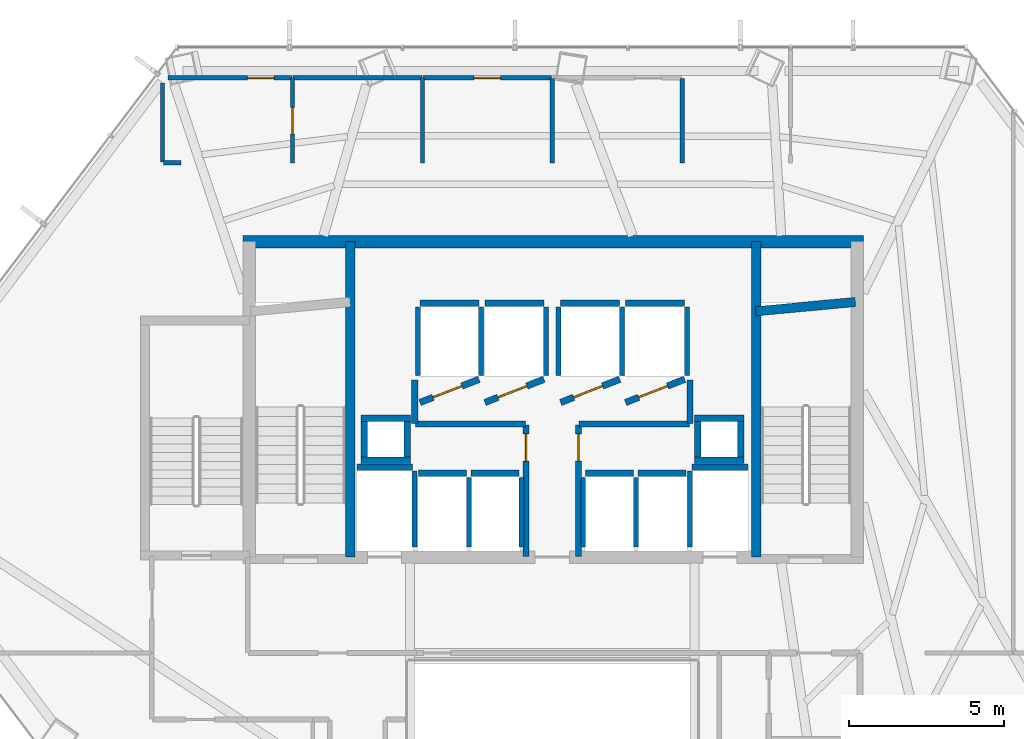
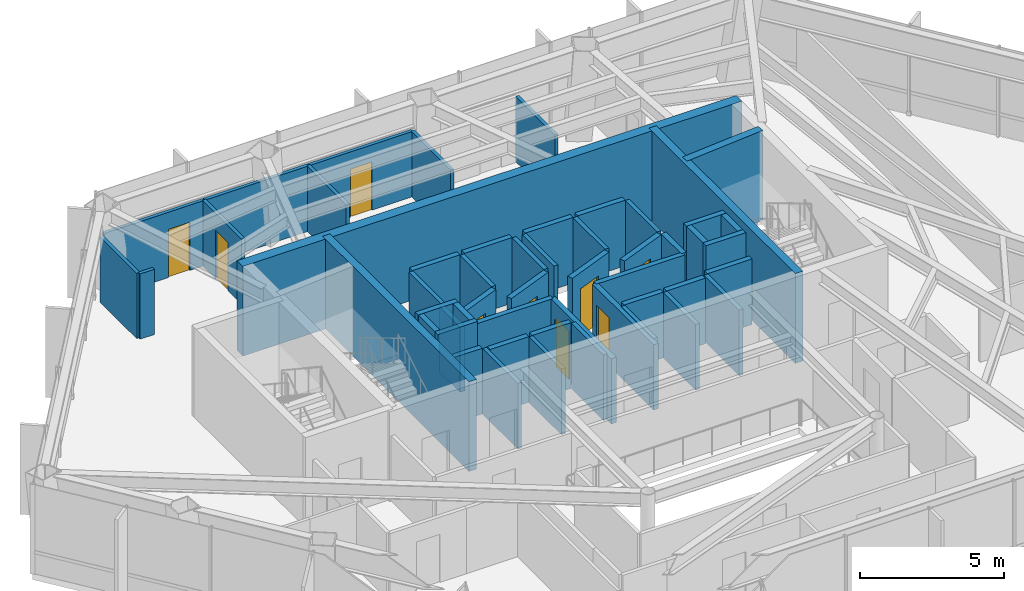
# One storey, part 25 of 27: 53 walls, 9 doors, 9 openings.
"""IFC4 building model written with IfcOpenShell, lengths in metres."""

from ifc_helpers import new_model, si_unit, direction, frame, frame_2d, origin, place, context, subcontext, project, spatial, rectangle, extrude, material, layer, layer_set, type_object, element, fill, save


model = new_model("IFC4")

# Units and contexts
model_context = context("Model", 3, precision=1e-05, world=origin(), true_north=direction((0.0, 1.0)))
body_context = subcontext(model_context, "Body", "Model", "MODEL_VIEW")
ifc_project = project(units=[si_unit("LENGTHUNIT", "METRE"), si_unit("AREAUNIT", "SQUARE_METRE"), si_unit("VOLUMEUNIT", "CUBIC_METRE"), si_unit("PLANEANGLEUNIT", "RADIAN"), si_unit("MASSUNIT", "GRAM", prefix="KILO")], contexts=[model_context])

# Site, building, storey
site_placement = place(None, origin())
site = spatial("IfcSite", under=ifc_project, at=site_placement, CompositionType="ELEMENT")
building_placement = place(site_placement, origin())
building = spatial("IfcBuilding", under=site, at=building_placement, Name="Zarrinselat Tower", CompositionType="ELEMENT")
storey_placement = place(building_placement, frame((0.0, 0.0, 80.580078125)))
storey = spatial("IfcBuildingStorey", under=building, at=storey_placement, Name="L19", CompositionType="ELEMENT", Elevation=80.580078125)

# Wall, opening, door
ifc_material_1 = material(Name="Concrete C40/50", Category="concrete")
ifc_layer_1 = layer(ifc_material_1, 0.199951171875)
ifc_layer_set_1 = layer_set([ifc_layer_1], Name="Concrete C40/50")
wall_type_1 = type_object("IfcWallType", Name="WAL-PART-PLANT", PredefinedType="PARTITIONING", material=ifc_layer_set_1)
wall_1_placement = place(storey_placement, frame((37.550048828125, 33.264892578125, 0.0), z_axis=(0.0, 0.0, 1.0), x_axis=(0.0, 1.0, 0.0)))
wall_1 = element("IfcWall", 1, at=wall_1_placement, inside=storey, type_object=wall_type_1, Name="L19 Partition Wall 1", PredefinedType="PARTITIONING", context=body_context, shape_type="SweptSolid", body=[
    extrude(rectangle(XDim=4.26513671875, YDim=0.199951171875, at=frame_2d((2.132568359375, 0.0))), origin(), (0.0, 0.0, 1.0), 2.77685546875),
])
opening_1_placement = place(wall_1_placement, frame((3.092529296875, 0.0, 0.0)))
opening_1 = element("IfcOpeningElement", 2, at=opening_1_placement, cuts=wall_1, Name="Opening ID-03", PredefinedType="OPENING", context=body_context, shape_type="SweptSolid", body=[
    extrude(rectangle(XDim=0.8798828125, YDim=2.050048828125, at=frame_2d((0.43994140625, 1.02490234375))), frame((0.0, 0.10986328125, 0.0), z_axis=(0.0, -1.0, 0.0), x_axis=(1.0, 0.0, 0.0)), (0.0, 0.0, 1.0), 0.219970703125),
])
ifc_material_2 = material(Name="Steel S355J2", Category="steel")
door_type_1 = type_object("IfcDoorType", Name="DR-INT-FD60-S", OperationType="NOTDEFINED", PredefinedType="DOOR", material=ifc_material_2)
door_1_placement = place(opening_1_placement, origin())
door_1 = element("IfcDoor", 3, at=door_1_placement, inside=storey, type_object=door_type_1, Name="L19 Interior Door P1", OperationType="SINGLE_SWING_LEFT", OverallHeight=2.050048828125, OverallWidth=0.8798828125, PredefinedType="DOOR", context=body_context, shape_type="SweptSolid", body=[
    extrude(rectangle(XDim=0.8798828125, YDim=2.050048828125, at=frame_2d((0.43994140625, 1.02490234375))), frame((0.0, 0.02490234375, 0.0), z_axis=(0.0, -1.0, 0.0), x_axis=(1.0, 0.0, 0.0)), (0.0, 0.0, 1.0), 0.050048828125),
])
fill(opening_1, door_1)

# Walls
wall_2_placement = place(storey_placement, frame((33.969970703125, 37.550048828125, 0.0), z_axis=(0.0, 0.0, 1.0), x_axis=(1.0, 0.0, 0.0)))
element("IfcWall", 4, at=wall_2_placement, inside=storey, type_object=wall_type_1, Name="L19 Partition Wall 2", PredefinedType="PARTITIONING", context=body_context, shape_type="SweptSolid", body=[
    extrude(rectangle(XDim=3.56005859375, YDim=0.199951171875, at=frame_2d((1.780029296875, 0.0))), origin(), (0.0, 0.0, 1.0), 2.77685546875),
])
for number, where, z_axis, x_axis, name in (
    (5, (33.949951171875, 37.570068359375, 0.0), (0.0, 0.0, 1.0), (0.0, 1.0, 0.0), "L19 Partition Wall 3"),
    (6, (42.85009765625, 37.570068359375, 0.0), (0.0, 0.0, 1.0), (0.0, 1.0, 0.0), "L19 Partition Wall 4"),
):
    element("IfcWall", number, at=place(storey_placement, frame(where, z_axis=z_axis, x_axis=x_axis)), inside=storey, type_object=wall_type_1, Name=name, PredefinedType="PARTITIONING", context=body_context, shape_type="SweptSolid", body=[
        extrude(rectangle(XDim=1.4150390625, YDim=0.199951171875, at=frame_2d((0.70751953125, 0.0))), origin(), (0.0, 0.0, 1.0), 2.77685546875),
    ])
wall_3_placement = place(storey_placement, frame((39.27001953125, 37.550048828125, 0.0), z_axis=(0.0, 0.0, 1.0), x_axis=(1.0, 0.0, 0.0)))
element("IfcWall", 7, at=wall_3_placement, inside=storey, type_object=wall_type_1, Name="L19 Partition Wall 5", PredefinedType="PARTITIONING", context=body_context, shape_type="SweptSolid", body=[
    extrude(rectangle(XDim=3.56005859375, YDim=0.199951171875, at=frame_2d((1.780029296875, 0.0))), origin(), (0.0, 0.0, 1.0), 2.77685546875),
])

# Wall, opening, door
wall_4_placement = place(storey_placement, frame((39.25, 33.264892578125, 0.0), z_axis=(0.0, 0.0, 1.0), x_axis=(0.0, 1.0, 0.0)))
wall_4 = element("IfcWall", 8, at=wall_4_placement, inside=storey, type_object=wall_type_1, Name="L19 Partition Wall 6", PredefinedType="PARTITIONING", context=body_context, shape_type="SweptSolid", body=[
    extrude(rectangle(XDim=4.26513671875, YDim=0.199951171875, at=frame_2d((2.132568359375, 0.0))), origin(), (0.0, 0.0, 1.0), 2.77685546875),
])
opening_2_placement = place(wall_4_placement, frame((3.092529296875, 0.0, 0.0)))
opening_2 = element("IfcOpeningElement", 9, at=opening_2_placement, cuts=wall_4, Name="Opening ID-03", PredefinedType="OPENING", context=body_context, shape_type="SweptSolid", body=[
    extrude(rectangle(XDim=0.8798828125, YDim=2.050048828125, at=frame_2d((0.43994140625, 1.02490234375))), frame((0.0, 0.10986328125, 0.0), z_axis=(0.0, -1.0, 0.0), x_axis=(1.0, 0.0, 0.0)), (0.0, 0.0, 1.0), 0.219970703125),
])
door_2_placement = place(opening_2_placement, origin())
door_2 = element("IfcDoor", 10, at=door_2_placement, inside=storey, type_object=door_type_1, Name="L19 Interior Door P6", OperationType="SINGLE_SWING_RIGHT", OverallHeight=2.050048828125, OverallWidth=0.8798828125, PredefinedType="DOOR", context=body_context, shape_type="SweptSolid", body=[
    extrude(rectangle(XDim=0.8798828125, YDim=2.050048828125, at=frame_2d((0.43994140625, 1.02490234375))), frame((0.0, 0.02490234375, 0.0), z_axis=(0.0, -1.0, 0.0), x_axis=(1.0, 0.0, 0.0)), (0.0, 0.0, 1.0), 0.050048828125),
])
fill(opening_2, door_2)

ifc_material_3 = material(Name="Fire-Rated Gypsum Board Partition", Category="gypsum")
ifc_layer_2 = layer(ifc_material_3, 0.135009765625)
ifc_layer_set_2 = layer_set([ifc_layer_2], Name="Fire-Rated Gypsum Board Partition")
wall_type_2 = type_object("IfcWallType", Name="WAL-PART-WET", PredefinedType="PARTITIONING", material=ifc_layer_set_2)
wall_5_placement = place(storey_placement, frame((30.0, 46.0, 0.0), z_axis=(0.0, 0.0, 1.0), x_axis=(0.0, 1.0, 0.0)))
wall_5 = element("IfcWall", 11, at=wall_5_placement, inside=storey, type_object=wall_type_2, Name="L19 Partition Wall 32", PredefinedType="PARTITIONING", context=body_context, shape_type="SweptSolid", body=[
    extrude(rectangle(XDim=2.72998046875, YDim=0.135009765625, at=frame_2d((1.364990234375, 0.0))), origin(), (0.0, 0.0, 1.0), 2.77685546875),
])
opening_3_placement = place(wall_5_placement, frame((0.93505859375, 0.0, 0.0)))
opening_3 = element("IfcOpeningElement", 12, at=opening_3_placement, cuts=wall_5, Name="Opening ID-06", PredefinedType="OPENING", context=body_context, shape_type="SweptSolid", body=[
    extrude(rectangle(XDim=0.860107421875, YDim=2.050048828125, at=frame_2d((0.43017578125, 1.02490234375))), frame((0.0, 0.077392578125, 0.0), z_axis=(0.0, -1.0, 0.0), x_axis=(1.0, 0.0, 0.0)), (0.0, 0.0, 1.0), 0.155029296875),
])
ifc_material_4 = material(Name="Extruded Aluminium Alloy EN AW-6063 T6", Category="aluminium")
door_type_2 = type_object("IfcDoorType", Name="DR-INT-WET-900", OperationType="NOTDEFINED", PredefinedType="DOOR", material=ifc_material_4)
door_3_placement = place(opening_3_placement, origin())
door_3 = element("IfcDoor", 13, at=door_3_placement, inside=storey, type_object=door_type_2, Name="L19 Interior Door P32", OperationType="SINGLE_SWING_RIGHT", OverallHeight=2.050048828125, OverallWidth=0.860107421875, PredefinedType="DOOR", context=body_context, shape_type="SweptSolid", body=[
    extrude(rectangle(XDim=0.860107421875, YDim=2.050048828125, at=frame_2d((0.43017578125, 1.02490234375))), frame((0.0, 0.02490234375, 0.0), z_axis=(0.0, -1.0, 0.0), x_axis=(1.0, 0.0, 0.0)), (0.0, 0.0, 1.0), 0.050048828125),
])
fill(opening_3, door_3)

# Wall
wall_6_placement = place(storey_placement, frame((25.800048828125, 46.02001953125, 0.0), z_axis=(0.0, 0.0, 1.0), x_axis=(0.0, 1.0, 0.0)))
element("IfcWall", 14, at=wall_6_placement, inside=storey, type_object=wall_type_2, Name="L19 Partition Wall 33", PredefinedType="PARTITIONING", context=body_context, shape_type="SweptSolid", body=[
    extrude(rectangle(XDim=2.564208984375, YDim=0.135009765625, at=frame_2d((1.2822265625, 0.0))), origin(), (0.0, 0.0, 1.0), 2.77685546875),
])

# Wall, opening, door
wall_7_placement = place(storey_placement, frame((25.9658203125, 48.75, 0.0), z_axis=(0.0, 0.0, 1.0), x_axis=(1.0, 0.0, 0.0)))
wall_7 = element("IfcWall", 15, at=wall_7_placement, inside=storey, type_object=wall_type_2, Name="L19 Partition Wall 34", PredefinedType="PARTITIONING", context=body_context, shape_type="SweptSolid", body=[
    extrude(rectangle(XDim=4.01416015625, YDim=0.135009765625, at=frame_2d((2.007080078125, 0.0))), origin(), (0.0, 0.0, 1.0), 2.77685546875),
])
opening_4_placement = place(wall_7_placement, frame((2.5771484375, 0.0, 0.0)))
opening_4 = element("IfcOpeningElement", 16, at=opening_4_placement, cuts=wall_7, Name="Opening ID-06", PredefinedType="OPENING", context=body_context, shape_type="SweptSolid", body=[
    extrude(rectangle(XDim=0.860107421875, YDim=2.050048828125, at=frame_2d((0.43017578125, 1.02490234375))), frame((0.0, 0.077392578125, 0.0), z_axis=(0.0, -1.0, 0.0), x_axis=(1.0, 0.0, 0.0)), (0.0, 0.0, 1.0), 0.155029296875),
])
door_4_placement = place(opening_4_placement, origin())
door_4 = element("IfcDoor", 17, at=door_4_placement, inside=storey, type_object=door_type_2, Name="L19 Interior Door P34", OperationType="SINGLE_SWING_LEFT", OverallHeight=2.050048828125, OverallWidth=0.860107421875, PredefinedType="DOOR", context=body_context, shape_type="SweptSolid", body=[
    extrude(rectangle(XDim=0.860107421875, YDim=2.050048828125, at=frame_2d((0.43017578125, 1.02490234375))), frame((0.0, 0.02490234375, 0.0), z_axis=(0.0, -1.0, 0.0), x_axis=(1.0, 0.0, 0.0)), (0.0, 0.0, 1.0), 0.050048828125),
])
fill(opening_4, door_4)

# Walls
wall_8_placement = place(storey_placement, frame((25.820068359375, 46.0, 0.0), z_axis=(0.0, 0.0, 1.0), x_axis=(1.0, 0.0, 0.0)))
element("IfcWall", 18, at=wall_8_placement, inside=storey, type_object=wall_type_2, Name="L19 Partition Wall 35", PredefinedType="PARTITIONING", context=body_context, shape_type="SweptSolid", body=[
    extrude(rectangle(XDim=0.570556640625, YDim=0.135009765625, at=frame_2d((0.28515625, 0.0))), origin(), (0.0, 0.0, 1.0), 2.77685546875),
])
wall_9_placement = place(storey_placement, frame((34.199951171875, 46.0, 0.0), z_axis=(0.0, 0.0, 1.0), x_axis=(0.0, 1.0, 0.0)))
element("IfcWall", 19, at=wall_9_placement, inside=storey, type_object=wall_type_2, Name="L19 Partition Wall 36", PredefinedType="PARTITIONING", context=body_context, shape_type="SweptSolid", body=[
    extrude(rectangle(XDim=2.72998046875, YDim=0.135009765625, at=frame_2d((1.364990234375, 0.0))), origin(), (0.0, 0.0, 1.0), 2.77685546875),
])
wall_10_placement = place(storey_placement, frame((30.02001953125, 48.75, 0.0), z_axis=(0.0, 0.0, 1.0), x_axis=(1.0, 0.0, 0.0)))
element("IfcWall", 20, at=wall_10_placement, inside=storey, type_object=wall_type_2, Name="L19 Partition Wall 37", PredefinedType="PARTITIONING", context=body_context, shape_type="SweptSolid", body=[
    extrude(rectangle(XDim=4.159912109375, YDim=0.135009765625, at=frame_2d((2.080078125, 0.0))), origin(), (0.0, 0.0, 1.0), 2.77685546875),
])
wall_11_placement = place(storey_placement, frame((38.39990234375, 46.0, 0.0), z_axis=(0.0, 0.0, 1.0), x_axis=(0.0, 1.0, 0.0)))
element("IfcWall", 21, at=wall_11_placement, inside=storey, type_object=wall_type_2, Name="L19 Partition Wall 38", PredefinedType="PARTITIONING", context=body_context, shape_type="SweptSolid", body=[
    extrude(rectangle(XDim=2.72998046875, YDim=0.135009765625, at=frame_2d((1.364990234375, 0.0))), origin(), (0.0, 0.0, 1.0), 2.77685546875),
])

# Wall, opening, door
wall_12_placement = place(storey_placement, frame((34.219970703125, 48.75, 0.0), z_axis=(0.0, 0.0, 1.0), x_axis=(1.0, 0.0, 0.0)))
wall_12 = element("IfcWall", 22, at=wall_12_placement, inside=storey, type_object=wall_type_2, Name="L19 Partition Wall 39", PredefinedType="PARTITIONING", context=body_context, shape_type="SweptSolid", body=[
    extrude(rectangle(XDim=4.159912109375, YDim=0.135009765625, at=frame_2d((2.080078125, 0.0))), origin(), (0.0, 0.0, 1.0), 2.77685546875),
])
opening_5_placement = place(wall_12_placement, frame((1.64990234375, 0.0, 0.0)))
opening_5 = element("IfcOpeningElement", 23, at=opening_5_placement, cuts=wall_12, Name="Opening ID-06", PredefinedType="OPENING", context=body_context, shape_type="SweptSolid", body=[
    extrude(rectangle(XDim=0.860107421875, YDim=2.050048828125, at=frame_2d((0.43017578125, 1.02490234375))), frame((0.0, 0.077392578125, 0.0), z_axis=(0.0, -1.0, 0.0), x_axis=(1.0, 0.0, 0.0)), (0.0, 0.0, 1.0), 0.155029296875),
])
door_5_placement = place(opening_5_placement, origin())
door_5 = element("IfcDoor", 24, at=door_5_placement, inside=storey, type_object=door_type_2, Name="L19 Interior Door P39", OperationType="SINGLE_SWING_RIGHT", OverallHeight=2.050048828125, OverallWidth=0.860107421875, PredefinedType="DOOR", context=body_context, shape_type="SweptSolid", body=[
    extrude(rectangle(XDim=0.860107421875, YDim=2.050048828125, at=frame_2d((0.43017578125, 1.02490234375))), frame((0.0, 0.02490234375, 0.0), z_axis=(0.0, -1.0, 0.0), x_axis=(1.0, 0.0, 0.0)), (0.0, 0.0, 1.0), 0.050048828125),
])
fill(opening_5, door_5)

# Walls
wall_13_placement = place(storey_placement, frame((42.60009765625, 46.0, 0.0), z_axis=(0.0, 0.0, 1.0), x_axis=(0.0, 1.0, 0.0)))
element("IfcWall", 25, at=wall_13_placement, inside=storey, type_object=wall_type_2, Name="L19 Partition Wall 41", PredefinedType="PARTITIONING", context=body_context, shape_type="SweptSolid", body=[
    extrude(rectangle(XDim=2.72998046875, YDim=0.135009765625, at=frame_2d((1.364990234375, 0.0))), origin(), (0.0, 0.0, 1.0), 2.77685546875),
])
ifc_material_5 = material(Name="Concrete C40/50", Category="concrete")
ifc_layer_3 = layer(ifc_material_5, 0.2099609375)
ifc_layer_set_3 = layer_set([ifc_layer_3], Name="Concrete C40/50")
wall_type_3 = type_object("IfcWallType", Name="WAL-SHAFT-210", PredefinedType="SOLIDWALL", material=ifc_layer_set_3)
wall_14_placement = place(storey_placement, frame((32.080078125, 36.155029296875, 0.0), z_axis=(0.0, 0.0, 1.0), x_axis=(1.0, 0.0, 0.0)))
element("IfcWall", 26, at=wall_14_placement, inside=storey, type_object=wall_type_3, Name="L19 Lift FFL1 North Shaft Wall", PredefinedType="SOLIDWALL", context=body_context, shape_type="SweptSolid", body=[
    extrude(rectangle(XDim=1.7998046875, YDim=0.2099609375, at=frame_2d((0.89990234375, 0.0))), origin(), (0.0, 0.0, 1.0), 2.7919921875),
])
wall_15_placement = place(storey_placement, frame((33.949951171875, 33.580078125, 0.0), z_axis=(0.0, 0.0, 1.0), x_axis=(0.0, 1.0, 0.0)))
element("IfcWall", 27, at=wall_15_placement, inside=storey, type_object=wall_type_3, Name="L19 Lift FFL1 E Shaft Wall", PredefinedType="SOLIDWALL", context=body_context, shape_type="SweptSolid", body=[
    extrude(rectangle(XDim=2.449951171875, YDim=0.159912109375, at=frame_2d((1.22509765625, 0.0))), origin(), (0.0, 0.0, 1.0), 2.7919921875),
])
wall_16_placement = place(storey_placement, frame((42.919921875, 36.155029296875, 0.0), z_axis=(0.0, 0.0, 1.0), x_axis=(1.0, 0.0, 0.0)))
element("IfcWall", 28, at=wall_16_placement, inside=storey, type_object=wall_type_3, Name="L19 Lift FFL2 North Shaft Wall", PredefinedType="SOLIDWALL", context=body_context, shape_type="SweptSolid", body=[
    extrude(rectangle(XDim=1.800048828125, YDim=0.2099609375, at=frame_2d((0.89990234375, 0.0))), origin(), (0.0, 0.0, 1.0), 2.7919921875),
])
wall_17_placement = place(storey_placement, frame((42.85009765625, 33.580078125, 0.0), z_axis=(0.0, 0.0, 1.0), x_axis=(0.0, 1.0, 0.0)))
element("IfcWall", 29, at=wall_17_placement, inside=storey, type_object=wall_type_3, Name="L19 Lift FFL2 W Shaft Wall", PredefinedType="SOLIDWALL", context=body_context, shape_type="SweptSolid", body=[
    extrude(rectangle(XDim=2.449951171875, YDim=0.159912109375, at=frame_2d((1.22509765625, 0.0))), origin(), (0.0, 0.0, 1.0), 2.7919921875),
])

# Wall, opening, door
wall_18_placement = place(storey_placement, frame((34.1201171875, 38.25, 0.0), z_axis=(0.0, 0.0, 1.0), x_axis=(0.930804993012, 0.36551616241, 0.0)))
wall_18 = element("IfcWall", 30, at=wall_18_placement, inside=storey, type_object=wall_type_3, Name="L19 Lift PL1 Front Shaft Wall", PredefinedType="SOLIDWALL", context=body_context, shape_type="SweptSolid", body=[
    extrude(rectangle(XDim=2.052001953125, YDim=0.2099609375, at=frame_2d((1.02587890625, 0.0))), origin(), (0.0, 0.0, 1.0), 2.7919921875),
])
opening_6_placement = place(wall_18_placement, frame((0.455078125, 0.0, 0.0)))
opening_6 = element("IfcOpeningElement", 31, at=opening_6_placement, cuts=wall_18, Name="Opening LD-PL1", PredefinedType="OPENING", context=body_context, shape_type="SweptSolid", body=[
    extrude(rectangle(XDim=1.0, YDim=2.10009765625, at=frame_2d((0.5, 1.050048828125))), frame((0.0, 0.114990234375, 0.0), z_axis=(0.0, -1.0, 0.0), x_axis=(1.0, 0.0, 0.0)), (0.0, 0.0, 1.0), 0.22998046875),
])
ifc_material_6 = material(Name="Steel S355J2", Category="steel")
door_type_3 = type_object("IfcDoorType", Name="DR-LIFT-PS-1000", OperationType="NOTDEFINED", PredefinedType="DOOR", material=ifc_material_6)
door_6_placement = place(opening_6_placement, origin())
door_6 = element("IfcDoor", 32, at=door_6_placement, inside=storey, type_object=door_type_3, Name="L19 Lift PL1 Sliding Landing Door", OperationType="SLIDING_TO_LEFT", OverallHeight=2.10009765625, OverallWidth=1.0, PredefinedType="DOOR", context=body_context, shape_type="SweptSolid", body=[
    extrude(rectangle(XDim=1.0, YDim=2.10009765625, at=frame_2d((0.5, 1.050048828125))), frame((0.0, 0.02490234375, 0.0), z_axis=(0.0, -1.0, 0.0), x_axis=(1.0, 0.0, 0.0)), (0.0, 0.0, 1.0), 0.050048828125),
])
fill(opening_6, door_6)

# Walls
wall_19_placement = place(storey_placement, frame((34.1201171875, 41.455078125, 0.0), z_axis=(0.0, 0.0, 1.0), x_axis=(1.0, 0.0, 0.0)))
element("IfcWall", 33, at=wall_19_placement, inside=storey, type_object=wall_type_3, Name="L19 Lift PL1 Rear Shaft Wall", PredefinedType="SOLIDWALL", context=body_context, shape_type="SweptSolid", body=[
    extrude(rectangle(XDim=1.909912109375, YDim=0.2099609375, at=frame_2d((0.955078125, 0.0))), origin(), (0.0, 0.0, 1.0), 2.7919921875),
])
for number, where, z_axis, x_axis, name in (
    (34, (34.050048828125, 39.1201171875, 0.0), (0.0, 0.0, 1.0), (0.0, 1.0, 0.0), "L19 Lift PL1 W Shaft Wall"),
    (35, (36.10009765625, 39.1201171875, 0.0), (0.0, 0.0, 1.0), (0.0, 1.0, 0.0), "L19 Lift PL1 E Shaft Wall"),
):
    element("IfcWall", number, at=place(storey_placement, frame(where, z_axis=z_axis, x_axis=x_axis)), inside=storey, type_object=wall_type_3, Name=name, PredefinedType="SOLIDWALL", context=body_context, shape_type="SweptSolid", body=[
        extrude(rectangle(XDim=2.2099609375, YDim=0.159912109375, at=frame_2d((1.10498046875, 0.0))), origin(), (0.0, 0.0, 1.0), 2.7919921875),
    ])

# Wall, opening, door
wall_20_placement = place(storey_placement, frame((36.219970703125, 38.25, 0.0), z_axis=(0.0, 0.0, 1.0), x_axis=(0.930804993012, 0.36551616241, 0.0)))
wall_20 = element("IfcWall", 36, at=wall_20_placement, inside=storey, type_object=wall_type_3, Name="L19 Lift PL2 Front Shaft Wall", PredefinedType="SOLIDWALL", context=body_context, shape_type="SweptSolid", body=[
    extrude(rectangle(XDim=2.052001953125, YDim=0.2099609375, at=frame_2d((1.02587890625, 0.0))), origin(), (0.0, 0.0, 1.0), 2.7919921875),
])
opening_7_placement = place(wall_20_placement, frame((0.455078125, 0.0, 0.0)))
opening_7 = element("IfcOpeningElement", 37, at=opening_7_placement, cuts=wall_20, Name="Opening LD-PL2", PredefinedType="OPENING", context=body_context, shape_type="SweptSolid", body=[
    extrude(rectangle(XDim=1.0, YDim=2.10009765625, at=frame_2d((0.5, 1.050048828125))), frame((0.0, 0.114990234375, 0.0), z_axis=(0.0, -1.0, 0.0), x_axis=(1.0, 0.0, 0.0)), (0.0, 0.0, 1.0), 0.22998046875),
])
door_7_placement = place(opening_7_placement, origin())
door_7 = element("IfcDoor", 38, at=door_7_placement, inside=storey, type_object=door_type_3, Name="L19 Lift PL2 Sliding Landing Door", OperationType="SLIDING_TO_RIGHT", OverallHeight=2.10009765625, OverallWidth=1.0, PredefinedType="DOOR", context=body_context, shape_type="SweptSolid", body=[
    extrude(rectangle(XDim=1.0, YDim=2.10009765625, at=frame_2d((0.5, 1.050048828125))), frame((0.0, 0.02490234375, 0.0), z_axis=(0.0, -1.0, 0.0), x_axis=(1.0, 0.0, 0.0)), (0.0, 0.0, 1.0), 0.050048828125),
])
fill(opening_7, door_7)

# Walls
wall_21_placement = place(storey_placement, frame((36.219970703125, 41.455078125, 0.0), z_axis=(0.0, 0.0, 1.0), x_axis=(1.0, 0.0, 0.0)))
element("IfcWall", 39, at=wall_21_placement, inside=storey, type_object=wall_type_3, Name="L19 Lift PL2 Rear Shaft Wall", PredefinedType="SOLIDWALL", context=body_context, shape_type="SweptSolid", body=[
    extrude(rectangle(XDim=1.909912109375, YDim=0.2099609375, at=frame_2d((0.955078125, 0.0))), origin(), (0.0, 0.0, 1.0), 2.7919921875),
])
wall_22_placement = place(storey_placement, frame((38.199951171875, 39.1201171875, 0.0), z_axis=(0.0, 0.0, 1.0), x_axis=(0.0, 1.0, 0.0)))
element("IfcWall", 40, at=wall_22_placement, inside=storey, type_object=wall_type_3, Name="L19 Lift PL2 E Shaft Wall", PredefinedType="SOLIDWALL", context=body_context, shape_type="SweptSolid", body=[
    extrude(rectangle(XDim=2.2099609375, YDim=0.159912109375, at=frame_2d((1.10498046875, 0.0))), origin(), (0.0, 0.0, 1.0), 2.7919921875),
])

# Wall, opening, door
wall_23_placement = place(storey_placement, frame((38.669921875, 38.25, 0.0), z_axis=(0.0, 0.0, 1.0), x_axis=(0.930820886763, 0.3654756856, 0.0)))
wall_23 = element("IfcWall", 41, at=wall_23_placement, inside=storey, type_object=wall_type_3, Name="L19 Lift PL3 Front Shaft Wall", PredefinedType="SOLIDWALL", context=body_context, shape_type="SweptSolid", body=[
    extrude(rectangle(XDim=2.052001953125, YDim=0.2099609375, at=frame_2d((1.02587890625, 0.0))), origin(), (0.0, 0.0, 1.0), 2.7919921875),
])
opening_8_placement = place(wall_23_placement, frame((0.455078125, 0.0, 0.0)))
opening_8 = element("IfcOpeningElement", 42, at=opening_8_placement, cuts=wall_23, Name="Opening LD-PL3", PredefinedType="OPENING", context=body_context, shape_type="SweptSolid", body=[
    extrude(rectangle(XDim=1.0, YDim=2.10009765625, at=frame_2d((0.5, 1.050048828125))), frame((0.0, 0.114990234375, 0.0), z_axis=(0.0, -1.0, 0.0), x_axis=(1.0, 0.0, 0.0)), (0.0, 0.0, 1.0), 0.22998046875),
])
door_8_placement = place(opening_8_placement, origin())
door_8 = element("IfcDoor", 43, at=door_8_placement, inside=storey, type_object=door_type_3, Name="L19 Lift PL3 Sliding Landing Door", OperationType="SLIDING_TO_LEFT", OverallHeight=2.10009765625, OverallWidth=1.0, PredefinedType="DOOR", context=body_context, shape_type="SweptSolid", body=[
    extrude(rectangle(XDim=1.0, YDim=2.10009765625, at=frame_2d((0.5, 1.050048828125))), frame((0.0, 0.02490234375, 0.0), z_axis=(0.0, -1.0, 0.0), x_axis=(1.0, 0.0, 0.0)), (0.0, 0.0, 1.0), 0.050048828125),
])
fill(opening_8, door_8)

# Walls
wall_24_placement = place(storey_placement, frame((38.669921875, 41.455078125, 0.0), z_axis=(0.0, 0.0, 1.0), x_axis=(1.0, 0.0, 0.0)))
element("IfcWall", 44, at=wall_24_placement, inside=storey, type_object=wall_type_3, Name="L19 Lift PL3 Rear Shaft Wall", PredefinedType="SOLIDWALL", context=body_context, shape_type="SweptSolid", body=[
    extrude(rectangle(XDim=1.91015625, YDim=0.2099609375, at=frame_2d((0.955078125, 0.0))), origin(), (0.0, 0.0, 1.0), 2.7919921875),
])
for number, where, z_axis, x_axis, name in (
    (45, (38.60009765625, 39.1201171875, 0.0), (0.0, 0.0, 1.0), (0.0, 1.0, 0.0), "L19 Lift PL3 W Shaft Wall"),
    (46, (40.64990234375, 39.1201171875, 0.0), (0.0, 0.0, 1.0), (0.0, 1.0, 0.0), "L19 Lift PL3 E Shaft Wall"),
):
    element("IfcWall", number, at=place(storey_placement, frame(where, z_axis=z_axis, x_axis=x_axis)), inside=storey, type_object=wall_type_3, Name=name, PredefinedType="SOLIDWALL", context=body_context, shape_type="SweptSolid", body=[
        extrude(rectangle(XDim=2.2099609375, YDim=0.159912109375, at=frame_2d((1.10498046875, 0.0))), origin(), (0.0, 0.0, 1.0), 2.7919921875),
    ])

# Wall, opening, door
wall_25_placement = place(storey_placement, frame((40.77001953125, 38.25, 0.0), z_axis=(0.0, 0.0, 1.0), x_axis=(0.930804993012, 0.36551616241, 0.0)))
wall_25 = element("IfcWall", 47, at=wall_25_placement, inside=storey, type_object=wall_type_3, Name="L19 Lift PL4 Front Shaft Wall", PredefinedType="SOLIDWALL", context=body_context, shape_type="SweptSolid", body=[
    extrude(rectangle(XDim=2.052001953125, YDim=0.2099609375, at=frame_2d((1.02587890625, 0.0))), origin(), (0.0, 0.0, 1.0), 2.7919921875),
])
opening_9_placement = place(wall_25_placement, frame((0.455078125, 0.0, 0.0)))
opening_9 = element("IfcOpeningElement", 48, at=opening_9_placement, cuts=wall_25, Name="Opening LD-PL4", PredefinedType="OPENING", context=body_context, shape_type="SweptSolid", body=[
    extrude(rectangle(XDim=1.0, YDim=2.10009765625, at=frame_2d((0.5, 1.050048828125))), frame((0.0, 0.114990234375, 0.0), z_axis=(0.0, -1.0, 0.0), x_axis=(1.0, 0.0, 0.0)), (0.0, 0.0, 1.0), 0.22998046875),
])
door_9_placement = place(opening_9_placement, origin())
door_9 = element("IfcDoor", 49, at=door_9_placement, inside=storey, type_object=door_type_3, Name="L19 Lift PL4 Sliding Landing Door", OperationType="SLIDING_TO_RIGHT", OverallHeight=2.10009765625, OverallWidth=1.0, PredefinedType="DOOR", context=body_context, shape_type="SweptSolid", body=[
    extrude(rectangle(XDim=1.0, YDim=2.10009765625, at=frame_2d((0.5, 1.050048828125))), frame((0.0, 0.02490234375, 0.0), z_axis=(0.0, -1.0, 0.0), x_axis=(1.0, 0.0, 0.0)), (0.0, 0.0, 1.0), 0.050048828125),
])
fill(opening_9, door_9)

# Walls
wall_26_placement = place(storey_placement, frame((40.77001953125, 41.455078125, 0.0), z_axis=(0.0, 0.0, 1.0), x_axis=(1.0, 0.0, 0.0)))
element("IfcWall", 50, at=wall_26_placement, inside=storey, type_object=wall_type_3, Name="L19 Lift PL4 Rear Shaft Wall", PredefinedType="SOLIDWALL", context=body_context, shape_type="SweptSolid", body=[
    extrude(rectangle(XDim=1.909912109375, YDim=0.2099609375, at=frame_2d((0.955078125, 0.0))), origin(), (0.0, 0.0, 1.0), 2.7919921875),
])
wall_27_placement = place(storey_placement, frame((42.75, 39.1201171875, 0.0), z_axis=(0.0, 0.0, 1.0), x_axis=(0.0, 1.0, 0.0)))
element("IfcWall", 51, at=wall_27_placement, inside=storey, type_object=wall_type_3, Name="L19 Lift PL4 E Shaft Wall", PredefinedType="SOLIDWALL", context=body_context, shape_type="SweptSolid", body=[
    extrude(rectangle(XDim=2.2099609375, YDim=0.159912109375, at=frame_2d((1.10498046875, 0.0))), origin(), (0.0, 0.0, 1.0), 2.7919921875),
])
wall_28_placement = place(storey_placement, frame((34.070068359375, 35.955078125, 0.0), z_axis=(0.0, 0.0, 1.0), x_axis=(1.0, 0.0, 0.0)))
element("IfcWall", 52, at=wall_28_placement, inside=storey, type_object=wall_type_3, Name="L19 Lift PL5 North Shaft Wall", PredefinedType="SOLIDWALL", context=body_context, shape_type="SweptSolid", body=[
    extrude(rectangle(XDim=1.559814453125, YDim=0.2099609375, at=frame_2d((0.77978515625, 0.0))), origin(), (0.0, 0.0, 1.0), 2.7919921875),
])
wall_29_placement = place(storey_placement, frame((35.699951171875, 33.580078125, 0.0), z_axis=(0.0, 0.0, 1.0), x_axis=(0.0, 1.0, 0.0)))
element("IfcWall", 53, at=wall_29_placement, inside=storey, type_object=wall_type_3, Name="L19 Lift PL5 E Shaft Wall", PredefinedType="SOLIDWALL", context=body_context, shape_type="SweptSolid", body=[
    extrude(rectangle(XDim=2.25, YDim=0.159912109375, at=frame_2d((1.125, 0.0))), origin(), (0.0, 0.0, 1.0), 2.7919921875),
])
wall_30_placement = place(storey_placement, frame((35.77001953125, 35.955078125, 0.0), z_axis=(0.0, 0.0, 1.0), x_axis=(1.0, 0.0, 0.0)))
element("IfcWall", 54, at=wall_30_placement, inside=storey, type_object=wall_type_3, Name="L19 Lift PL6 North Shaft Wall", PredefinedType="SOLIDWALL", context=body_context, shape_type="SweptSolid", body=[
    extrude(rectangle(XDim=1.56005859375, YDim=0.2099609375, at=frame_2d((0.780029296875, 0.0))), origin(), (0.0, 0.0, 1.0), 2.7919921875),
])
wall_31_placement = place(storey_placement, frame((37.39990234375, 33.580078125, 0.0), z_axis=(0.0, 0.0, 1.0), x_axis=(0.0, 1.0, 0.0)))
element("IfcWall", 55, at=wall_31_placement, inside=storey, type_object=wall_type_3, Name="L19 Lift PL6 E Shaft Wall", PredefinedType="SOLIDWALL", context=body_context, shape_type="SweptSolid", body=[
    extrude(rectangle(XDim=2.25, YDim=0.159912109375, at=frame_2d((1.125, 0.0))), origin(), (0.0, 0.0, 1.0), 2.7919921875),
])
wall_32_placement = place(storey_placement, frame((39.469970703125, 35.955078125, 0.0), z_axis=(0.0, 0.0, 1.0), x_axis=(1.0, 0.0, 0.0)))
element("IfcWall", 56, at=wall_32_placement, inside=storey, type_object=wall_type_3, Name="L19 Lift PL8 North Shaft Wall", PredefinedType="SOLIDWALL", context=body_context, shape_type="SweptSolid", body=[
    extrude(rectangle(XDim=1.56005859375, YDim=0.2099609375, at=frame_2d((0.780029296875, 0.0))), origin(), (0.0, 0.0, 1.0), 2.7919921875),
])
for number, where, z_axis, x_axis, name in (
    (57, (39.39990234375, 33.580078125, 0.0), (0.0, 0.0, 1.0), (0.0, 1.0, 0.0), "L19 Lift PL8 W Shaft Wall"),
    (58, (41.10009765625, 33.580078125, 0.0), (0.0, 0.0, 1.0), (0.0, 1.0, 0.0), "L19 Lift PL8 E Shaft Wall"),
):
    element("IfcWall", number, at=place(storey_placement, frame(where, z_axis=z_axis, x_axis=x_axis)), inside=storey, type_object=wall_type_3, Name=name, PredefinedType="SOLIDWALL", context=body_context, shape_type="SweptSolid", body=[
        extrude(rectangle(XDim=2.25, YDim=0.159912109375, at=frame_2d((1.125, 0.0))), origin(), (0.0, 0.0, 1.0), 2.7919921875),
    ])
wall_33_placement = place(storey_placement, frame((41.169921875, 35.955078125, 0.0), z_axis=(0.0, 0.0, 1.0), x_axis=(1.0, 0.0, 0.0)))
element("IfcWall", 59, at=wall_33_placement, inside=storey, type_object=wall_type_3, Name="L19 Lift PL9 North Shaft Wall", PredefinedType="SOLIDWALL", context=body_context, shape_type="SweptSolid", body=[
    extrude(rectangle(XDim=1.56005859375, YDim=0.2099609375, at=frame_2d((0.780029296875, 0.0))), origin(), (0.0, 0.0, 1.0), 2.7919921875),
])
for number, where, z_axis, x_axis, name in (
    (60, (32.2099609375, 36.375, 0.0), (0.0, 0.0, 1.0), (1.0, 0.0, 0.0), "L19 Core Riser RSR-W S Shaft Wall"),
    (61, (32.2099609375, 37.7451171875, 0.0), (0.0, 0.0, 1.0), (1.0, 0.0, 0.0), "L19 Core Riser RSR-W N Shaft Wall"),
):
    element("IfcWall", number, at=place(storey_placement, frame(where, z_axis=z_axis, x_axis=x_axis)), inside=storey, type_object=wall_type_3, Name=name, PredefinedType="SOLIDWALL", context=body_context, shape_type="SweptSolid", body=[
        extrude(rectangle(XDim=1.60009765625, YDim=0.2099609375, at=frame_2d((0.800048828125, 0.0))), origin(), (0.0, 0.0, 1.0), 3.81982421875),
    ])
for number, where, z_axis, x_axis, name in (
    (62, (32.31494140625, 36.485107421875, 0.0), (0.0, 0.0, 1.0), (0.0, 1.0, 0.0), "L19 Core Riser RSR-W W Shaft Wall"),
    (63, (33.705078125, 36.485107421875, 0.0), (0.0, 0.0, 1.0), (0.0, 1.0, 0.0), "L19 Core Riser RSR-W E Shaft Wall"),
):
    element("IfcWall", number, at=place(storey_placement, frame(where, z_axis=z_axis, x_axis=x_axis)), inside=storey, type_object=wall_type_3, Name=name, PredefinedType="SOLIDWALL", context=body_context, shape_type="SweptSolid", body=[
        extrude(rectangle(XDim=1.14990234375, YDim=0.2099609375, at=frame_2d((0.574951171875, 0.0))), origin(), (0.0, 0.0, 1.0), 3.81982421875),
    ])
for number, where, z_axis, x_axis, name in (
    (64, (42.989990234375, 36.375, 0.0), (0.0, 0.0, 1.0), (1.0, 0.0, 0.0), "L19 Core Riser RSR-E S Shaft Wall"),
    (65, (42.989990234375, 37.7451171875, 0.0), (0.0, 0.0, 1.0), (1.0, 0.0, 0.0), "L19 Core Riser RSR-E N Shaft Wall"),
):
    element("IfcWall", number, at=place(storey_placement, frame(where, z_axis=z_axis, x_axis=x_axis)), inside=storey, type_object=wall_type_3, Name=name, PredefinedType="SOLIDWALL", context=body_context, shape_type="SweptSolid", body=[
        extrude(rectangle(XDim=1.60009765625, YDim=0.2099609375, at=frame_2d((0.800048828125, 0.0))), origin(), (0.0, 0.0, 1.0), 3.81982421875),
    ])
for number, where, z_axis, x_axis, name in (
    (66, (43.094970703125, 36.485107421875, 0.0), (0.0, 0.0, 1.0), (0.0, 1.0, 0.0), "L19 Core Riser RSR-E W Shaft Wall"),
    (67, (44.485107421875, 36.485107421875, 0.0), (0.0, 0.0, 1.0), (0.0, 1.0, 0.0), "L19 Core Riser RSR-E E Shaft Wall"),
):
    element("IfcWall", number, at=place(storey_placement, frame(where, z_axis=z_axis, x_axis=x_axis)), inside=storey, type_object=wall_type_3, Name=name, PredefinedType="SOLIDWALL", context=body_context, shape_type="SweptSolid", body=[
        extrude(rectangle(XDim=1.14990234375, YDim=0.2099609375, at=frame_2d((0.574951171875, 0.0))), origin(), (0.0, 0.0, 1.0), 3.81982421875),
    ])
ifc_material_7 = material(Name="Concrete C40/50", Category="concrete")
ifc_layer_4 = layer(ifc_material_7, 0.300048828125)
ifc_layer_set_4 = layer_set([ifc_layer_4], Name="Concrete C40/50")
wall_type_4 = type_object("IfcWallType", Name="WAL-SHEAR-300", PredefinedType="SHEAR", material=ifc_layer_set_4)
for number, where, z_axis, x_axis, name in (
    (68, (31.8701171875, 33.25, 0.0), (0.0, 0.0, 1.0), (0.0, 1.0, 0.0), "L19 Core Shear Wall ST1E"),
    (69, (44.989990234375, 33.25, 0.0), (0.0, 0.0, 1.0), (0.0, 1.0, 0.0), "L19 Core Shear Wall ST2W"),
):
    element("IfcWall", number, at=place(storey_placement, frame(where, z_axis=z_axis, x_axis=x_axis)), inside=storey, type_object=wall_type_4, Name=name, PredefinedType="SHEAR", context=body_context, shape_type="SweptSolid", body=[
        extrude(rectangle(XDim=10.199951171875, YDim=0.300048828125, at=frame_2d((5.10009765625, 0.0))), origin(), (0.0, 0.0, 1.0), 3.81982421875),
    ])
wall_34_placement = place(storey_placement, frame((44.97998046875, 41.199951171875, 0.0), z_axis=(0.0, 0.0, 1.0), x_axis=(0.995686468965, 0.09278176286, 0.0)))
element("IfcWall", 70, at=wall_34_placement, inside=storey, type_object=wall_type_4, Name="L19 Stair 2 North Shaft Wall", PredefinedType="SHEAR", context=body_context, shape_type="SweptSolid", body=[
    extrude(rectangle(XDim=3.23388671875, YDim=0.300048828125, at=frame_2d((1.616943359375, 0.0))), origin(), (0.0, 0.0, 1.0), 3.81982421875),
])
ifc_material_8 = material(Name="Concrete C60/75", Category="concrete")
ifc_layer_5 = layer(ifc_material_8, 0.39990234375)
ifc_layer_set_5 = layer_set([ifc_layer_5], Name="Concrete C60/75")
wall_type_5 = type_object("IfcWallType", Name="WAL-SHEAR-400", PredefinedType="SHEAR", material=ifc_layer_set_5)
wall_35_placement = place(storey_placement, frame((28.39990234375, 43.449951171875, 0.0), z_axis=(0.0, 0.0, 1.0), x_axis=(1.0, 0.0, 0.0)))
element("IfcWall", 71, at=wall_35_placement, inside=storey, type_object=wall_type_5, Name="L19 North Core Shear Wall", PredefinedType="SHEAR", context=body_context, shape_type="SweptSolid", body=[
    extrude(rectangle(XDim=20.06005859375, YDim=0.39990234375, at=frame_2d((10.030029296875, 0.0))), origin(), (0.0, 0.0, 1.0), 3.81982421875),
])

save(model, "model.ifc")
